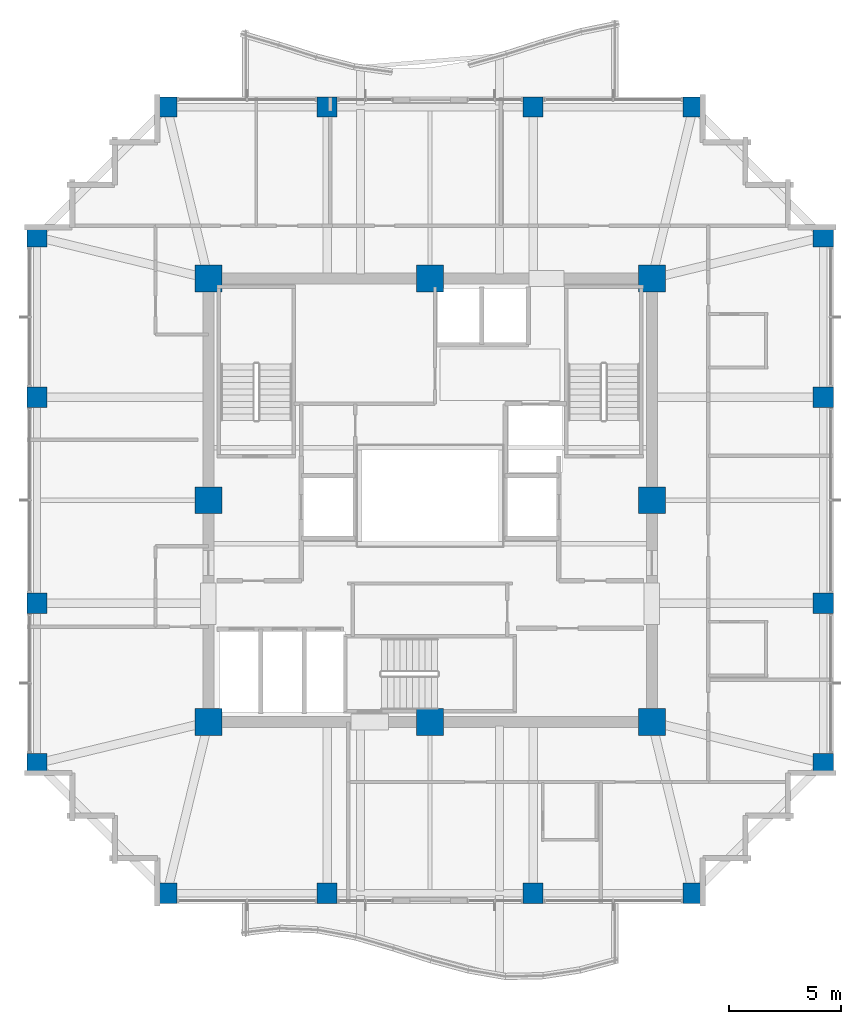
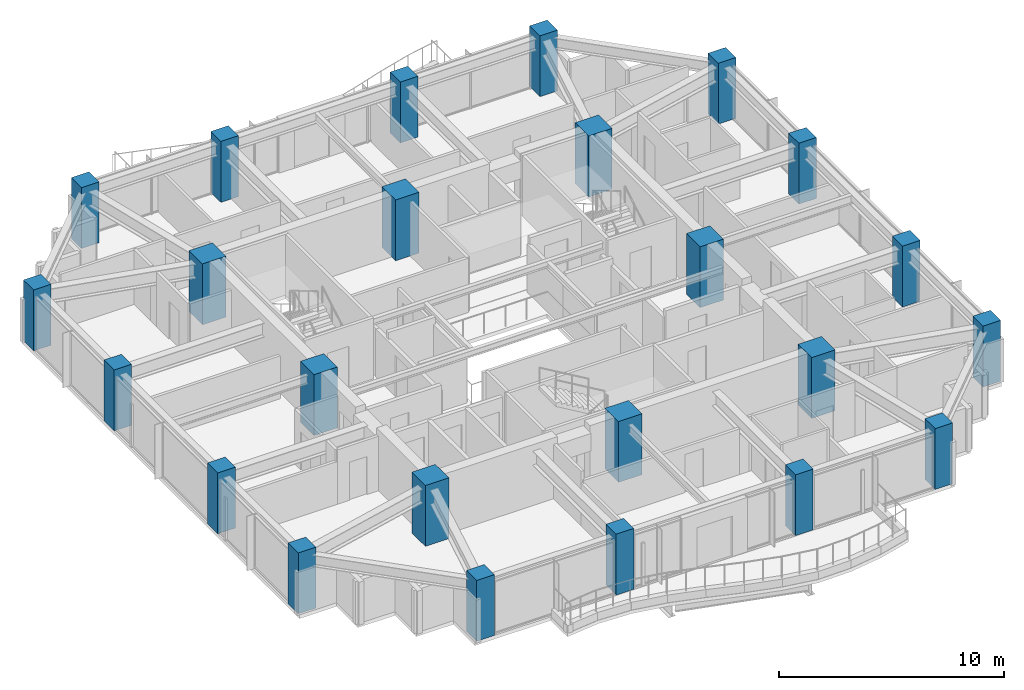
# One storey, part 1 of 31: 24 columns.
"""IFC4 building model written with IfcOpenShell, lengths in metres."""

from ifc_helpers import new_model, si_unit, direction, frame, origin, origin_2d, place, context, subcontext, project, spatial, rectangle, extrude, material, material_profile, profile_set, type_object, element, save


model = new_model("IFC4")

# Units and contexts
model_context = context("Model", 3, precision=1e-05, world=origin(), true_north=direction((0.0, 1.0)))
body_context = subcontext(model_context, "Body", "Model", "MODEL_VIEW")
ifc_project = project(units=[si_unit("LENGTHUNIT", "METRE"), si_unit("AREAUNIT", "SQUARE_METRE"), si_unit("VOLUMEUNIT", "CUBIC_METRE"), si_unit("PLANEANGLEUNIT", "RADIAN"), si_unit("MASSUNIT", "GRAM", prefix="KILO")], contexts=[model_context])

# Site, building, storey
site_placement = place(None, origin())
site = spatial("IfcSite", under=ifc_project, at=site_placement, CompositionType="ELEMENT")
building_placement = place(site_placement, origin())
building = spatial("IfcBuilding", under=site, at=building_placement, Name="Kolvaren Belvedere", CompositionType="ELEMENT")
storey_placement = place(building_placement, frame((0.0, 0.0, 144.800048828125)))
storey = spatial("IfcBuildingStorey", under=building, at=storey_placement, Name="L42", CompositionType="ELEMENT", Elevation=144.800048828125)

# Columns
ifc_material_1 = material(Name="Concrete C60/75", Category="concrete")
ifc_material_profile_1 = material_profile(ifc_material_1, rectangle(XDim=1.199951171875, YDim=1.199951171875, at=origin_2d()), Name="RC 1200X1200")
ifc_profile_set_1 = profile_set([ifc_material_profile_1], Name="Concrete C60/75")
column_type_1 = type_object("IfcColumnType", Name="COL-RC-1200", PredefinedType="COLUMN", material=ifc_profile_set_1)
for number, where, z_axis, x_axis, name in (
    (1, (-9.89990234375, -9.89990234375, 0.0), (0.0, 0.0, 1.0), (1.0, 0.0, 0.0), "L42 Core Column CC1"),
    (2, (9.89990234375, -9.89990234375, 0.0), (0.0, 0.0, 1.0), (1.0, 0.0, 0.0), "L42 Core Column CC2"),
    (3, (9.89990234375, 9.89990234375, 0.0), (0.0, 0.0, 1.0), (1.0, 0.0, 0.0), "L42 Core Column CC3"),
    (4, (-9.89990234375, 9.89990234375, 0.0), (0.0, 0.0, 1.0), (1.0, 0.0, 0.0), "L42 Core Column CC4"),
    (5, (0.0, -9.89990234375, 0.0), (0.0, 0.0, 1.0), (1.0, 0.0, 0.0), "L42 Core Column CM1"),
    (6, (9.89990234375, 0.0, 0.0), (0.0, 0.0, 1.0), (1.0, 0.0, 0.0), "L42 Core Column CM2"),
    (7, (0.0, 9.89990234375, 0.0), (0.0, 0.0, 1.0), (1.0, 0.0, 0.0), "L42 Core Column CM3"),
    (8, (-9.89990234375, 0.0, 0.0), (0.0, 0.0, 1.0), (1.0, 0.0, 0.0), "L42 Core Column CM4"),
):
    element("IfcColumn", number, at=place(storey_placement, frame(where, z_axis=z_axis, x_axis=x_axis)), inside=storey, type_object=column_type_1, Name=name, PredefinedType="COLUMN", context=body_context, shape_type="SweptSolid", body=[
        extrude(rectangle(XDim=1.199951171875, YDim=1.199951171875, at=origin_2d()), origin(), (0.0, 0.0, 1.0), 3.300048828125),
    ])
ifc_material_2 = material(Name="Concrete C50/60", Category="concrete")
ifc_material_profile_2 = material_profile(ifc_material_2, rectangle(XDim=0.89990234375, YDim=0.89990234375, at=origin_2d()), Name="RC 900X900")
ifc_profile_set_2 = profile_set([ifc_material_profile_2], Name="Concrete C50/60")
column_type_2 = type_object("IfcColumnType", Name="COL-RC-900", PredefinedType="COLUMN", material=ifc_profile_set_2)
for number, where, z_axis, x_axis, name in (
    (9, (-11.75, -17.550048828125, 0.0), (0.0, 0.0, 1.0), (1.0, 0.0, 0.0), "L42 Perimeter Column S1"),
    (10, (-4.60009765625, -17.550048828125, 0.0), (0.0, 0.0, 1.0), (1.0, 0.0, 0.0), "L42 Perimeter Column S2"),
    (11, (4.60009765625, -17.550048828125, 0.0), (0.0, 0.0, 1.0), (1.0, 0.0, 0.0), "L42 Perimeter Column S3"),
    (12, (11.75, -17.550048828125, 0.0), (0.0, 0.0, 1.0), (1.0, 0.0, 0.0), "L42 Perimeter Column S4"),
    (13, (-11.75, 17.550048828125, 0.0), (0.0, 0.0, 1.0), (1.0, 0.0, 0.0), "L42 Perimeter Column N1"),
    (14, (-4.60009765625, 17.550048828125, 0.0), (0.0, 0.0, 1.0), (1.0, 0.0, 0.0), "L42 Perimeter Column N2"),
    (15, (4.60009765625, 17.550048828125, 0.0), (0.0, 0.0, 1.0), (1.0, 0.0, 0.0), "L42 Perimeter Column N3"),
    (16, (11.75, 17.550048828125, 0.0), (0.0, 0.0, 1.0), (1.0, 0.0, 0.0), "L42 Perimeter Column N4"),
    (17, (-17.550048828125, -11.75, 0.0), (0.0, 0.0, 1.0), (1.0, 0.0, 0.0), "L42 Perimeter Column W1"),
    (18, (-17.550048828125, -4.60009765625, 0.0), (0.0, 0.0, 1.0), (1.0, 0.0, 0.0), "L42 Perimeter Column W2"),
    (19, (-17.550048828125, 4.60009765625, 0.0), (0.0, 0.0, 1.0), (1.0, 0.0, 0.0), "L42 Perimeter Column W3"),
    (20, (-17.550048828125, 11.75, 0.0), (0.0, 0.0, 1.0), (1.0, 0.0, 0.0), "L42 Perimeter Column W4"),
    (21, (17.550048828125, -11.75, 0.0), (0.0, 0.0, 1.0), (1.0, 0.0, 0.0), "L42 Perimeter Column E1"),
    (22, (17.550048828125, -4.60009765625, 0.0), (0.0, 0.0, 1.0), (1.0, 0.0, 0.0), "L42 Perimeter Column E2"),
    (23, (17.550048828125, 4.60009765625, 0.0), (0.0, 0.0, 1.0), (1.0, 0.0, 0.0), "L42 Perimeter Column E3"),
    (24, (17.550048828125, 11.75, 0.0), (0.0, 0.0, 1.0), (1.0, 0.0, 0.0), "L42 Perimeter Column E4"),
):
    element("IfcColumn", number, at=place(storey_placement, frame(where, z_axis=z_axis, x_axis=x_axis)), inside=storey, type_object=column_type_2, Name=name, PredefinedType="COLUMN", context=body_context, shape_type="SweptSolid", body=[
        extrude(rectangle(XDim=0.89990234375, YDim=0.89990234375, at=origin_2d()), origin(), (0.0, 0.0, 1.0), 3.300048828125),
    ])

save(model, "model.ifc")
